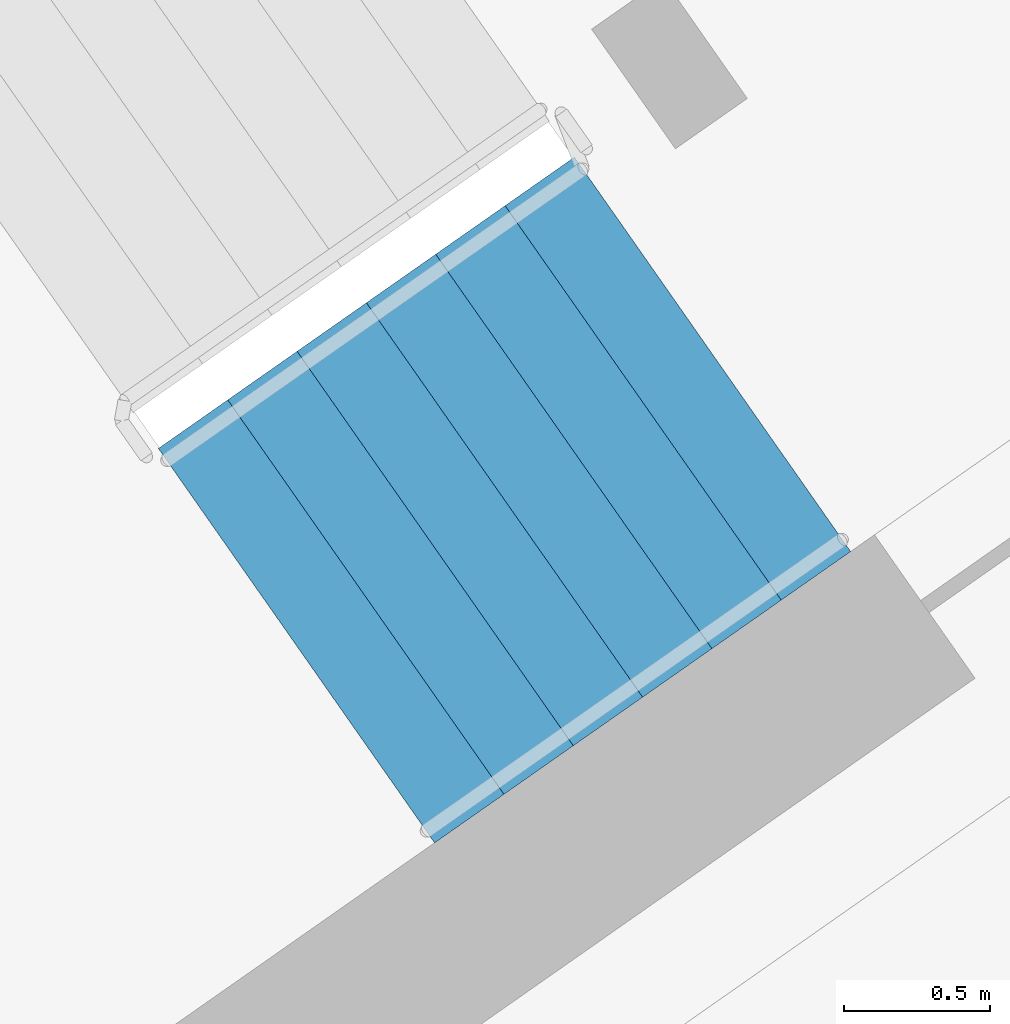
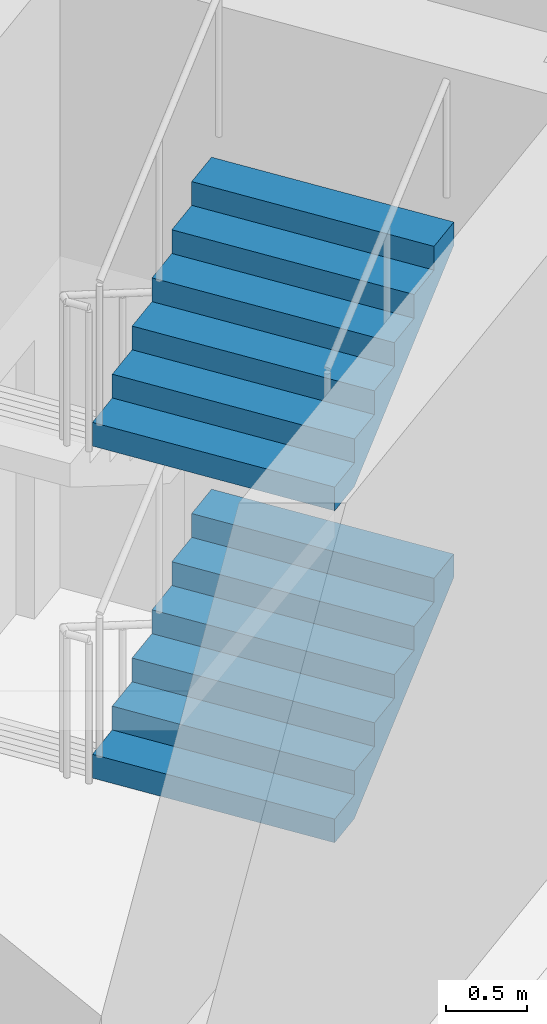
# One storey, part 19 of 24: 2 stair flights, 1 element without a shape of its own.
"""IFC4 building model written with IfcOpenShell, lengths in metres."""

from ifc_helpers import new_model, si_unit, direction, frame, origin, place, context, subcontext, project, spatial, faceted_brep, material, type_object, element, aggregate, save


model = new_model("IFC4")

# Units and contexts
model_context = context("Model", 3, precision=1e-05, world=origin(), true_north=direction((0.0, 1.0)))
body_context = subcontext(model_context, "Body", "Model", "MODEL_VIEW")
ifc_project = project(units=[si_unit("LENGTHUNIT", "METRE"), si_unit("AREAUNIT", "SQUARE_METRE"), si_unit("VOLUMEUNIT", "CUBIC_METRE"), si_unit("PLANEANGLEUNIT", "RADIAN"), si_unit("MASSUNIT", "GRAM", prefix="KILO")], contexts=[model_context])

# Site, building, storey
site_placement = place(None, origin())
site = spatial("IfcSite", under=ifc_project, at=site_placement, CompositionType="ELEMENT")
building_placement = place(site_placement, origin())
building = spatial("IfcBuilding", under=site, at=building_placement, Name="Qamariyya Broadcast Tower", CompositionType="ELEMENT")
storey_placement = place(building_placement, frame((0.0, 0.0, 253.10009765625)))
storey = spatial("IfcBuildingStorey", under=building, at=storey_placement, Name="L61", CompositionType="ELEMENT", Elevation=253.10009765625)

# Stair, stair flights
ifc_material = material(Name="Concrete C50/60", Category="concrete")
stair_type = type_object("IfcStairType", Name="Exit stair 28 risers of 179 mm", PredefinedType="HALF_TURN_STAIR", material=ifc_material)
stair_placement = place(storey_placement, origin())
stair = element("IfcStair", 1, at=stair_placement, inside=storey, type_object=stair_type, Name="L61 Stair E1", PredefinedType="HALF_TURN_STAIR")
stair_flight_type = type_object("IfcStairFlightType", Name="Exit stair flight 7 risers of 179 mm", PredefinedType="STRAIGHT", material=ifc_material)
stair_flight_1_placement = place(storey_placement, frame((45.6435546875, -57.980712890625, 1.25), z_axis=(0.0, 0.0, 1.0), x_axis=(0.819152044289, 0.573576436351, 0.0)))
stair_flight_1 = element("IfcStairFlight", 2, at=stair_flight_1_placement, type_object=stair_flight_type, Name="ST-E1 flight 2", NumberOfRisers=7, NumberOfTreads=6, PredefinedType="STRAIGHT", RiserHeight=0.178571429, TreadLength=0.29, context=body_context, shape_type="Brep", body=[
    faceted_brep([(0.0, 0.824951171875, 0.0), (0.0, 0.824951171875, 0.178466796875), (0.2900390625, 0.824951171875, 0.178466796875), (0.2900390625, 0.824951171875, 0.357177734375), (0.580078125, 0.824951171875, 0.357177734375), (0.580078125, 0.824951171875, 0.53564453125), (0.8701171875, 0.824951171875, 0.53564453125), (0.8701171875, 0.824951171875, 0.71435546875), (1.159912109375, 0.824951171875, 0.71435546875), (1.159912109375, 0.824951171875, 0.892822265625), (1.449951171875, 0.824951171875, 0.892822265625), (1.449951171875, 0.824951171875, 1.071533203125), (1.739990234375, 0.824951171875, 1.071533203125), (1.739990234375, 0.824951171875, 0.8955078125), (0.285888671875, 0.824951171875, 0.0), (0.285888671875, -0.824951171875, 0.0), (1.739990234375, -0.824951171875, 0.8955078125), (1.739990234375, -0.824951171875, 1.071533203125), (1.449951171875, -0.824951171875, 1.071533203125), (1.449951171875, -0.824951171875, 0.892822265625), (1.159912109375, -0.824951171875, 0.892822265625), (1.159912109375, -0.824951171875, 0.71435546875), (0.8701171875, -0.824951171875, 0.71435546875), (0.8701171875, -0.824951171875, 0.53564453125), (0.580078125, -0.824951171875, 0.53564453125), (0.580078125, -0.824951171875, 0.357177734375), (0.2900390625, -0.824951171875, 0.357177734375), (0.2900390625, -0.824951171875, 0.178466796875), (0.0, -0.824951171875, 0.178466796875), (0.0, -0.824951171875, 0.0), (0.0, 0.10009765625, 0.0), (0.0, 0.086669921875, 0.0), (0.0, 0.0732421875, 0.0), (0.0, 0.06005859375, 0.0), (0.0, 0.046630859375, 0.0), (0.0, 0.033447265625, 0.0), (0.0, 0.02001953125, 0.0), (0.0, 0.006591796875, 0.0), (0.0, -0.006591796875, 0.0), (0.0, -0.02001953125, 0.0), (0.0, -0.033447265625, 0.0), (0.0, -0.046630859375, 0.0), (0.0, -0.06005859375, 0.0), (0.0, -0.0732421875, 0.0), (0.0, -0.086669921875, 0.0), (0.0, -0.10009765625, 0.0), (0.0, -0.10009765625, 0.178466796875), (0.0, -0.086669921875, 0.178466796875), (0.0, -0.0732421875, 0.178466796875), (0.0, -0.06005859375, 0.178466796875), (0.0, -0.046630859375, 0.178466796875), (0.0, -0.033447265625, 0.178466796875), (0.0, -0.02001953125, 0.178466796875), (0.0, -0.006591796875, 0.178466796875), (0.0, 0.006591796875, 0.178466796875), (0.0, 0.02001953125, 0.178466796875), (0.0, 0.033447265625, 0.178466796875), (0.0, 0.046630859375, 0.178466796875), (0.0, 0.06005859375, 0.178466796875), (0.0, 0.0732421875, 0.178466796875), (0.0, 0.086669921875, 0.178466796875), (0.0, 0.10009765625, 0.178466796875), (0.2900390625, -0.10009765625, 0.178466796875), (0.2900390625, -0.086669921875, 0.178466796875), (0.2900390625, -0.0732421875, 0.178466796875), (0.2900390625, -0.06005859375, 0.178466796875), (0.2900390625, -0.046630859375, 0.178466796875), (0.2900390625, -0.033447265625, 0.178466796875), (0.2900390625, -0.02001953125, 0.178466796875), (0.2900390625, -0.006591796875, 0.178466796875), (0.2900390625, 0.006591796875, 0.178466796875), (0.2900390625, 0.02001953125, 0.178466796875), (0.2900390625, 0.033447265625, 0.178466796875), (0.2900390625, 0.046630859375, 0.178466796875), (0.2900390625, 0.06005859375, 0.178466796875), (0.2900390625, 0.0732421875, 0.178466796875), (0.2900390625, 0.086669921875, 0.178466796875), (0.2900390625, 0.10009765625, 0.178466796875), (0.2900390625, -0.10009765625, 0.357177734375), (0.2900390625, -0.086669921875, 0.357177734375), (0.2900390625, -0.0732421875, 0.357177734375), (0.2900390625, -0.06005859375, 0.357177734375), (0.2900390625, -0.046630859375, 0.357177734375), (0.2900390625, -0.033447265625, 0.357177734375), (0.2900390625, -0.02001953125, 0.357177734375), (0.2900390625, -0.006591796875, 0.357177734375), (0.2900390625, 0.006591796875, 0.357177734375), (0.2900390625, 0.02001953125, 0.357177734375), (0.2900390625, 0.033447265625, 0.357177734375), (0.2900390625, 0.046630859375, 0.357177734375), (0.2900390625, 0.06005859375, 0.357177734375), (0.2900390625, 0.0732421875, 0.357177734375), (0.2900390625, 0.086669921875, 0.357177734375), (0.2900390625, 0.10009765625, 0.357177734375), (0.580078125, -0.10009765625, 0.357177734375), (0.580078125, -0.086669921875, 0.357177734375), (0.580078125, -0.0732421875, 0.357177734375), (0.580078125, -0.06005859375, 0.357177734375), (0.580078125, -0.046630859375, 0.357177734375), (0.580078125, -0.033447265625, 0.357177734375), (0.580078125, -0.02001953125, 0.357177734375), (0.580078125, -0.006591796875, 0.357177734375), (0.580078125, 0.006591796875, 0.357177734375), (0.580078125, 0.02001953125, 0.357177734375), (0.580078125, 0.033447265625, 0.357177734375), (0.580078125, 0.046630859375, 0.357177734375), (0.580078125, 0.06005859375, 0.357177734375), (0.580078125, 0.0732421875, 0.357177734375), (0.580078125, 0.086669921875, 0.357177734375), (0.580078125, 0.10009765625, 0.357177734375), (0.580078125, -0.10009765625, 0.53564453125), (0.580078125, -0.086669921875, 0.53564453125), (0.580078125, -0.0732421875, 0.53564453125), (0.580078125, -0.06005859375, 0.53564453125), (0.580078125, -0.046630859375, 0.53564453125), (0.580078125, -0.033447265625, 0.53564453125), (0.580078125, -0.02001953125, 0.53564453125), (0.580078125, -0.006591796875, 0.53564453125), (0.580078125, 0.006591796875, 0.53564453125), (0.580078125, 0.02001953125, 0.53564453125), (0.580078125, 0.033447265625, 0.53564453125), (0.580078125, 0.046630859375, 0.53564453125), (0.580078125, 0.06005859375, 0.53564453125), (0.580078125, 0.0732421875, 0.53564453125), (0.580078125, 0.086669921875, 0.53564453125), (0.580078125, 0.10009765625, 0.53564453125), (0.8701171875, -0.10009765625, 0.53564453125), (0.8701171875, -0.086669921875, 0.53564453125), (0.8701171875, -0.0732421875, 0.53564453125), (0.8701171875, -0.06005859375, 0.53564453125), (0.8701171875, -0.046630859375, 0.53564453125), (0.8701171875, -0.033447265625, 0.53564453125), (0.8701171875, -0.02001953125, 0.53564453125), (0.8701171875, -0.006591796875, 0.53564453125), (0.8701171875, 0.006591796875, 0.53564453125), (0.8701171875, 0.02001953125, 0.53564453125), (0.8701171875, 0.033447265625, 0.53564453125), (0.8701171875, 0.046630859375, 0.53564453125), (0.8701171875, 0.06005859375, 0.53564453125), (0.8701171875, 0.0732421875, 0.53564453125), (0.8701171875, 0.086669921875, 0.53564453125), (0.8701171875, 0.10009765625, 0.53564453125), (0.8701171875, -0.10009765625, 0.71435546875), (0.8701171875, -0.086669921875, 0.71435546875), (0.8701171875, -0.0732421875, 0.71435546875), (0.8701171875, -0.06005859375, 0.71435546875), (0.8701171875, -0.046630859375, 0.71435546875), (0.8701171875, -0.033447265625, 0.71435546875), (0.8701171875, -0.02001953125, 0.71435546875), (0.8701171875, -0.006591796875, 0.71435546875), (0.8701171875, 0.006591796875, 0.71435546875), (0.8701171875, 0.02001953125, 0.71435546875), (0.8701171875, 0.033447265625, 0.71435546875), (0.8701171875, 0.046630859375, 0.71435546875), (0.8701171875, 0.06005859375, 0.71435546875), (0.8701171875, 0.0732421875, 0.71435546875), (0.8701171875, 0.086669921875, 0.71435546875), (0.8701171875, 0.10009765625, 0.71435546875), (1.159912109375, -0.10009765625, 0.71435546875), (1.159912109375, -0.086669921875, 0.71435546875), (1.159912109375, -0.0732421875, 0.71435546875), (1.159912109375, -0.06005859375, 0.71435546875), (1.159912109375, -0.046630859375, 0.71435546875), (1.159912109375, -0.033447265625, 0.71435546875), (1.159912109375, -0.02001953125, 0.71435546875), (1.159912109375, -0.006591796875, 0.71435546875), (1.159912109375, 0.006591796875, 0.71435546875), (1.159912109375, 0.02001953125, 0.71435546875), (1.159912109375, 0.033447265625, 0.71435546875), (1.159912109375, 0.046630859375, 0.71435546875), (1.159912109375, 0.06005859375, 0.71435546875), (1.159912109375, 0.0732421875, 0.71435546875), (1.159912109375, 0.086669921875, 0.71435546875), (1.159912109375, 0.10009765625, 0.71435546875), (1.159912109375, -0.10009765625, 0.892822265625), (1.159912109375, -0.086669921875, 0.892822265625), (1.159912109375, -0.0732421875, 0.892822265625), (1.159912109375, -0.06005859375, 0.892822265625), (1.159912109375, -0.046630859375, 0.892822265625), (1.159912109375, -0.033447265625, 0.892822265625), (1.159912109375, -0.02001953125, 0.892822265625), (1.159912109375, -0.006591796875, 0.892822265625), (1.159912109375, 0.006591796875, 0.892822265625), (1.159912109375, 0.02001953125, 0.892822265625), (1.159912109375, 0.033447265625, 0.892822265625), (1.159912109375, 0.046630859375, 0.892822265625), (1.159912109375, 0.06005859375, 0.892822265625), (1.159912109375, 0.0732421875, 0.892822265625), (1.159912109375, 0.086669921875, 0.892822265625), (1.159912109375, 0.10009765625, 0.892822265625), (1.449951171875, -0.10009765625, 0.892822265625), (1.449951171875, -0.086669921875, 0.892822265625), (1.449951171875, -0.0732421875, 0.892822265625), (1.449951171875, -0.06005859375, 0.892822265625), (1.449951171875, -0.046630859375, 0.892822265625), (1.449951171875, -0.033447265625, 0.892822265625), (1.449951171875, -0.02001953125, 0.892822265625), (1.449951171875, -0.006591796875, 0.892822265625), (1.449951171875, 0.006591796875, 0.892822265625), (1.449951171875, 0.02001953125, 0.892822265625), (1.449951171875, 0.033447265625, 0.892822265625), (1.449951171875, 0.046630859375, 0.892822265625), (1.449951171875, 0.06005859375, 0.892822265625), (1.449951171875, 0.0732421875, 0.892822265625), (1.449951171875, 0.086669921875, 0.892822265625), (1.449951171875, 0.10009765625, 0.892822265625), (1.449951171875, -0.10009765625, 1.071533203125), (1.449951171875, -0.086669921875, 1.071533203125), (1.449951171875, -0.0732421875, 1.071533203125), (1.449951171875, -0.06005859375, 1.071533203125), (1.449951171875, -0.046630859375, 1.071533203125), (1.449951171875, -0.033447265625, 1.071533203125), (1.449951171875, -0.02001953125, 1.071533203125), (1.449951171875, -0.006591796875, 1.071533203125), (1.449951171875, 0.006591796875, 1.071533203125), (1.449951171875, 0.02001953125, 1.071533203125), (1.449951171875, 0.033447265625, 1.071533203125), (1.449951171875, 0.046630859375, 1.071533203125), (1.449951171875, 0.06005859375, 1.071533203125), (1.449951171875, 0.0732421875, 1.071533203125), (1.449951171875, 0.086669921875, 1.071533203125), (1.449951171875, 0.10009765625, 1.071533203125), (1.739990234375, -0.10009765625, 1.071533203125), (1.739990234375, -0.086669921875, 1.071533203125), (1.739990234375, -0.0732421875, 1.071533203125), (1.739990234375, -0.06005859375, 1.071533203125), (1.739990234375, -0.046630859375, 1.071533203125), (1.739990234375, -0.033447265625, 1.071533203125), (1.739990234375, -0.02001953125, 1.071533203125), (1.739990234375, -0.006591796875, 1.071533203125), (1.739990234375, 0.006591796875, 1.071533203125), (1.739990234375, 0.02001953125, 1.071533203125), (1.739990234375, 0.033447265625, 1.071533203125), (1.739990234375, 0.046630859375, 1.071533203125), (1.739990234375, 0.06005859375, 1.071533203125), (1.739990234375, 0.0732421875, 1.071533203125), (1.739990234375, 0.086669921875, 1.071533203125), (1.739990234375, 0.10009765625, 1.071533203125), (1.739990234375, -0.10009765625, 0.8955078125), (1.739990234375, -0.086669921875, 0.8955078125), (1.739990234375, -0.0732421875, 0.8955078125), (1.739990234375, -0.06005859375, 0.8955078125), (1.739990234375, -0.046630859375, 0.8955078125), (1.739990234375, -0.033447265625, 0.8955078125), (1.739990234375, -0.02001953125, 0.8955078125), (1.739990234375, -0.006591796875, 0.8955078125), (1.739990234375, 0.006591796875, 0.8955078125), (1.739990234375, 0.02001953125, 0.8955078125), (1.739990234375, 0.033447265625, 0.8955078125), (1.739990234375, 0.046630859375, 0.8955078125), (1.739990234375, 0.06005859375, 0.8955078125), (1.739990234375, 0.0732421875, 0.8955078125), (1.739990234375, 0.086669921875, 0.8955078125), (1.739990234375, 0.10009765625, 0.8955078125), (0.285888671875, -0.10009765625, 0.0), (0.285888671875, -0.086669921875, 0.0), (0.285888671875, -0.0732421875, 0.0), (0.285888671875, -0.06005859375, 0.0), (0.285888671875, -0.046630859375, 0.0), (0.285888671875, -0.033447265625, 0.0), (0.285888671875, -0.02001953125, 0.0), (0.285888671875, -0.006591796875, 0.0), (0.285888671875, 0.006591796875, 0.0), (0.285888671875, 0.02001953125, 0.0), (0.285888671875, 0.033447265625, 0.0), (0.285888671875, 0.046630859375, 0.0), (0.285888671875, 0.06005859375, 0.0), (0.285888671875, 0.0732421875, 0.0), (0.285888671875, 0.086669921875, 0.0), (0.285888671875, 0.10009765625, 0.0)], [[[0, 1, 2, 3, 4, 5, 6, 7, 8, 9, 10, 11, 12, 13, 14]], [[15, 16, 17, 18, 19, 20, 21, 22, 23, 24, 25, 26, 27, 28, 29]], [[0, 30, 31, 32, 33, 34, 35, 36, 37, 38, 39, 40, 41, 42, 43, 44, 45, 29, 28, 46, 47, 48, 49, 50, 51, 52, 53, 54, 55, 56, 57, 58, 59, 60, 61, 1]], [[1, 61, 60, 59, 58, 57, 56, 55, 54, 53, 52, 51, 50, 49, 48, 47, 46, 28, 27, 62, 63, 64, 65, 66, 67, 68, 69, 70, 71, 72, 73, 74, 75, 76, 77, 2]], [[2, 77, 76, 75, 74, 73, 72, 71, 70, 69, 68, 67, 66, 65, 64, 63, 62, 27, 26, 78, 79, 80, 81, 82, 83, 84, 85, 86, 87, 88, 89, 90, 91, 92, 93, 3]], [[3, 93, 92, 91, 90, 89, 88, 87, 86, 85, 84, 83, 82, 81, 80, 79, 78, 26, 25, 94, 95, 96, 97, 98, 99, 100, 101, 102, 103, 104, 105, 106, 107, 108, 109, 4]], [[4, 109, 108, 107, 106, 105, 104, 103, 102, 101, 100, 99, 98, 97, 96, 95, 94, 25, 24, 110, 111, 112, 113, 114, 115, 116, 117, 118, 119, 120, 121, 122, 123, 124, 125, 5]], [[5, 125, 124, 123, 122, 121, 120, 119, 118, 117, 116, 115, 114, 113, 112, 111, 110, 24, 23, 126, 127, 128, 129, 130, 131, 132, 133, 134, 135, 136, 137, 138, 139, 140, 141, 6]], [[6, 141, 140, 139, 138, 137, 136, 135, 134, 133, 132, 131, 130, 129, 128, 127, 126, 23, 22, 142, 143, 144, 145, 146, 147, 148, 149, 150, 151, 152, 153, 154, 155, 156, 157, 7]], [[7, 157, 156, 155, 154, 153, 152, 151, 150, 149, 148, 147, 146, 145, 144, 143, 142, 22, 21, 158, 159, 160, 161, 162, 163, 164, 165, 166, 167, 168, 169, 170, 171, 172, 173, 8]], [[8, 173, 172, 171, 170, 169, 168, 167, 166, 165, 164, 163, 162, 161, 160, 159, 158, 21, 20, 174, 175, 176, 177, 178, 179, 180, 181, 182, 183, 184, 185, 186, 187, 188, 189, 9]], [[9, 189, 188, 187, 186, 185, 184, 183, 182, 181, 180, 179, 178, 177, 176, 175, 174, 20, 19, 190, 191, 192, 193, 194, 195, 196, 197, 198, 199, 200, 201, 202, 203, 204, 205, 10]], [[10, 205, 204, 203, 202, 201, 200, 199, 198, 197, 196, 195, 194, 193, 192, 191, 190, 19, 18, 206, 207, 208, 209, 210, 211, 212, 213, 214, 215, 216, 217, 218, 219, 220, 221, 11]], [[11, 221, 220, 219, 218, 217, 216, 215, 214, 213, 212, 211, 210, 209, 208, 207, 206, 18, 17, 222, 223, 224, 225, 226, 227, 228, 229, 230, 231, 232, 233, 234, 235, 236, 237, 12]], [[12, 237, 236, 235, 234, 233, 232, 231, 230, 229, 228, 227, 226, 225, 224, 223, 222, 17, 16, 238, 239, 240, 241, 242, 243, 244, 245, 246, 247, 248, 249, 250, 251, 252, 253, 13]], [[13, 253, 252, 251, 250, 249, 248, 247, 246, 245, 244, 243, 242, 241, 240, 239, 238, 16, 15, 254, 255, 256, 257, 258, 259, 260, 261, 262, 263, 264, 265, 266, 267, 268, 269, 14]], [[14, 269, 268, 267, 266, 265, 264, 263, 262, 261, 260, 259, 258, 257, 256, 255, 254, 15, 29, 45, 44, 43, 42, 41, 40, 39, 38, 37, 36, 35, 34, 33, 32, 31, 30, 0]]]),
])
stair_flight_2_placement = place(storey_placement, frame((45.6435546875, -57.980712890625, 3.75), z_axis=(0.0, 0.0, 1.0), x_axis=(0.819152044289, 0.573576436351, 0.0)))
stair_flight_2 = element("IfcStairFlight", 3, at=stair_flight_2_placement, type_object=stair_flight_type, Name="ST-E1 flight 4", NumberOfRisers=7, NumberOfTreads=6, PredefinedType="STRAIGHT", RiserHeight=0.178571429, TreadLength=0.29, context=body_context, shape_type="Brep", body=[
    faceted_brep([(0.0, 0.824951171875, 0.0), (0.0, 0.824951171875, 0.178466796875), (0.2900390625, 0.824951171875, 0.178466796875), (0.2900390625, 0.824951171875, 0.357177734375), (0.580078125, 0.824951171875, 0.357177734375), (0.580078125, 0.824951171875, 0.53564453125), (0.8701171875, 0.824951171875, 0.53564453125), (0.8701171875, 0.824951171875, 0.71435546875), (1.159912109375, 0.824951171875, 0.71435546875), (1.159912109375, 0.824951171875, 0.892822265625), (1.449951171875, 0.824951171875, 0.892822265625), (1.449951171875, 0.824951171875, 1.071533203125), (1.739990234375, 0.824951171875, 1.071533203125), (1.739990234375, 0.824951171875, 0.8955078125), (0.285888671875, 0.824951171875, 0.0), (0.285888671875, -0.824951171875, 0.0), (1.739990234375, -0.824951171875, 0.8955078125), (1.739990234375, -0.824951171875, 1.071533203125), (1.449951171875, -0.824951171875, 1.071533203125), (1.449951171875, -0.824951171875, 0.892822265625), (1.159912109375, -0.824951171875, 0.892822265625), (1.159912109375, -0.824951171875, 0.71435546875), (0.8701171875, -0.824951171875, 0.71435546875), (0.8701171875, -0.824951171875, 0.53564453125), (0.580078125, -0.824951171875, 0.53564453125), (0.580078125, -0.824951171875, 0.357177734375), (0.2900390625, -0.824951171875, 0.357177734375), (0.2900390625, -0.824951171875, 0.178466796875), (0.0, -0.824951171875, 0.178466796875), (0.0, -0.824951171875, 0.0), (0.0, 0.10009765625, 0.0), (0.0, 0.086669921875, 0.0), (0.0, 0.0732421875, 0.0), (0.0, 0.06005859375, 0.0), (0.0, 0.046630859375, 0.0), (0.0, 0.033447265625, 0.0), (0.0, 0.02001953125, 0.0), (0.0, 0.006591796875, 0.0), (0.0, -0.006591796875, 0.0), (0.0, -0.02001953125, 0.0), (0.0, -0.033447265625, 0.0), (0.0, -0.046630859375, 0.0), (0.0, -0.06005859375, 0.0), (0.0, -0.0732421875, 0.0), (0.0, -0.086669921875, 0.0), (0.0, -0.10009765625, 0.0), (0.0, -0.10009765625, 0.178466796875), (0.0, -0.086669921875, 0.178466796875), (0.0, -0.0732421875, 0.178466796875), (0.0, -0.06005859375, 0.178466796875), (0.0, -0.046630859375, 0.178466796875), (0.0, -0.033447265625, 0.178466796875), (0.0, -0.02001953125, 0.178466796875), (0.0, -0.006591796875, 0.178466796875), (0.0, 0.006591796875, 0.178466796875), (0.0, 0.02001953125, 0.178466796875), (0.0, 0.033447265625, 0.178466796875), (0.0, 0.046630859375, 0.178466796875), (0.0, 0.06005859375, 0.178466796875), (0.0, 0.0732421875, 0.178466796875), (0.0, 0.086669921875, 0.178466796875), (0.0, 0.10009765625, 0.178466796875), (0.2900390625, -0.10009765625, 0.178466796875), (0.2900390625, -0.086669921875, 0.178466796875), (0.2900390625, -0.0732421875, 0.178466796875), (0.2900390625, -0.06005859375, 0.178466796875), (0.2900390625, -0.046630859375, 0.178466796875), (0.2900390625, -0.033447265625, 0.178466796875), (0.2900390625, -0.02001953125, 0.178466796875), (0.2900390625, -0.006591796875, 0.178466796875), (0.2900390625, 0.006591796875, 0.178466796875), (0.2900390625, 0.02001953125, 0.178466796875), (0.2900390625, 0.033447265625, 0.178466796875), (0.2900390625, 0.046630859375, 0.178466796875), (0.2900390625, 0.06005859375, 0.178466796875), (0.2900390625, 0.0732421875, 0.178466796875), (0.2900390625, 0.086669921875, 0.178466796875), (0.2900390625, 0.10009765625, 0.178466796875), (0.2900390625, -0.10009765625, 0.357177734375), (0.2900390625, -0.086669921875, 0.357177734375), (0.2900390625, -0.0732421875, 0.357177734375), (0.2900390625, -0.06005859375, 0.357177734375), (0.2900390625, -0.046630859375, 0.357177734375), (0.2900390625, -0.033447265625, 0.357177734375), (0.2900390625, -0.02001953125, 0.357177734375), (0.2900390625, -0.006591796875, 0.357177734375), (0.2900390625, 0.006591796875, 0.357177734375), (0.2900390625, 0.02001953125, 0.357177734375), (0.2900390625, 0.033447265625, 0.357177734375), (0.2900390625, 0.046630859375, 0.357177734375), (0.2900390625, 0.06005859375, 0.357177734375), (0.2900390625, 0.0732421875, 0.357177734375), (0.2900390625, 0.086669921875, 0.357177734375), (0.2900390625, 0.10009765625, 0.357177734375), (0.580078125, -0.10009765625, 0.357177734375), (0.580078125, -0.086669921875, 0.357177734375), (0.580078125, -0.0732421875, 0.357177734375), (0.580078125, -0.06005859375, 0.357177734375), (0.580078125, -0.046630859375, 0.357177734375), (0.580078125, -0.033447265625, 0.357177734375), (0.580078125, -0.02001953125, 0.357177734375), (0.580078125, -0.006591796875, 0.357177734375), (0.580078125, 0.006591796875, 0.357177734375), (0.580078125, 0.02001953125, 0.357177734375), (0.580078125, 0.033447265625, 0.357177734375), (0.580078125, 0.046630859375, 0.357177734375), (0.580078125, 0.06005859375, 0.357177734375), (0.580078125, 0.0732421875, 0.357177734375), (0.580078125, 0.086669921875, 0.357177734375), (0.580078125, 0.10009765625, 0.357177734375), (0.580078125, -0.10009765625, 0.53564453125), (0.580078125, -0.086669921875, 0.53564453125), (0.580078125, -0.0732421875, 0.53564453125), (0.580078125, -0.06005859375, 0.53564453125), (0.580078125, -0.046630859375, 0.53564453125), (0.580078125, -0.033447265625, 0.53564453125), (0.580078125, -0.02001953125, 0.53564453125), (0.580078125, -0.006591796875, 0.53564453125), (0.580078125, 0.006591796875, 0.53564453125), (0.580078125, 0.02001953125, 0.53564453125), (0.580078125, 0.033447265625, 0.53564453125), (0.580078125, 0.046630859375, 0.53564453125), (0.580078125, 0.06005859375, 0.53564453125), (0.580078125, 0.0732421875, 0.53564453125), (0.580078125, 0.086669921875, 0.53564453125), (0.580078125, 0.10009765625, 0.53564453125), (0.8701171875, -0.10009765625, 0.53564453125), (0.8701171875, -0.086669921875, 0.53564453125), (0.8701171875, -0.0732421875, 0.53564453125), (0.8701171875, -0.06005859375, 0.53564453125), (0.8701171875, -0.046630859375, 0.53564453125), (0.8701171875, -0.033447265625, 0.53564453125), (0.8701171875, -0.02001953125, 0.53564453125), (0.8701171875, -0.006591796875, 0.53564453125), (0.8701171875, 0.006591796875, 0.53564453125), (0.8701171875, 0.02001953125, 0.53564453125), (0.8701171875, 0.033447265625, 0.53564453125), (0.8701171875, 0.046630859375, 0.53564453125), (0.8701171875, 0.06005859375, 0.53564453125), (0.8701171875, 0.0732421875, 0.53564453125), (0.8701171875, 0.086669921875, 0.53564453125), (0.8701171875, 0.10009765625, 0.53564453125), (0.8701171875, -0.10009765625, 0.71435546875), (0.8701171875, -0.086669921875, 0.71435546875), (0.8701171875, -0.0732421875, 0.71435546875), (0.8701171875, -0.06005859375, 0.71435546875), (0.8701171875, -0.046630859375, 0.71435546875), (0.8701171875, -0.033447265625, 0.71435546875), (0.8701171875, -0.02001953125, 0.71435546875), (0.8701171875, -0.006591796875, 0.71435546875), (0.8701171875, 0.006591796875, 0.71435546875), (0.8701171875, 0.02001953125, 0.71435546875), (0.8701171875, 0.033447265625, 0.71435546875), (0.8701171875, 0.046630859375, 0.71435546875), (0.8701171875, 0.06005859375, 0.71435546875), (0.8701171875, 0.0732421875, 0.71435546875), (0.8701171875, 0.086669921875, 0.71435546875), (0.8701171875, 0.10009765625, 0.71435546875), (1.159912109375, -0.10009765625, 0.71435546875), (1.159912109375, -0.086669921875, 0.71435546875), (1.159912109375, -0.0732421875, 0.71435546875), (1.159912109375, -0.06005859375, 0.71435546875), (1.159912109375, -0.046630859375, 0.71435546875), (1.159912109375, -0.033447265625, 0.71435546875), (1.159912109375, -0.02001953125, 0.71435546875), (1.159912109375, -0.006591796875, 0.71435546875), (1.159912109375, 0.006591796875, 0.71435546875), (1.159912109375, 0.02001953125, 0.71435546875), (1.159912109375, 0.033447265625, 0.71435546875), (1.159912109375, 0.046630859375, 0.71435546875), (1.159912109375, 0.06005859375, 0.71435546875), (1.159912109375, 0.0732421875, 0.71435546875), (1.159912109375, 0.086669921875, 0.71435546875), (1.159912109375, 0.10009765625, 0.71435546875), (1.159912109375, -0.10009765625, 0.892822265625), (1.159912109375, -0.086669921875, 0.892822265625), (1.159912109375, -0.0732421875, 0.892822265625), (1.159912109375, -0.06005859375, 0.892822265625), (1.159912109375, -0.046630859375, 0.892822265625), (1.159912109375, -0.033447265625, 0.892822265625), (1.159912109375, -0.02001953125, 0.892822265625), (1.159912109375, -0.006591796875, 0.892822265625), (1.159912109375, 0.006591796875, 0.892822265625), (1.159912109375, 0.02001953125, 0.892822265625), (1.159912109375, 0.033447265625, 0.892822265625), (1.159912109375, 0.046630859375, 0.892822265625), (1.159912109375, 0.06005859375, 0.892822265625), (1.159912109375, 0.0732421875, 0.892822265625), (1.159912109375, 0.086669921875, 0.892822265625), (1.159912109375, 0.10009765625, 0.892822265625), (1.449951171875, -0.10009765625, 0.892822265625), (1.449951171875, -0.086669921875, 0.892822265625), (1.449951171875, -0.0732421875, 0.892822265625), (1.449951171875, -0.06005859375, 0.892822265625), (1.449951171875, -0.046630859375, 0.892822265625), (1.449951171875, -0.033447265625, 0.892822265625), (1.449951171875, -0.02001953125, 0.892822265625), (1.449951171875, -0.006591796875, 0.892822265625), (1.449951171875, 0.006591796875, 0.892822265625), (1.449951171875, 0.02001953125, 0.892822265625), (1.449951171875, 0.033447265625, 0.892822265625), (1.449951171875, 0.046630859375, 0.892822265625), (1.449951171875, 0.06005859375, 0.892822265625), (1.449951171875, 0.0732421875, 0.892822265625), (1.449951171875, 0.086669921875, 0.892822265625), (1.449951171875, 0.10009765625, 0.892822265625), (1.449951171875, -0.10009765625, 1.071533203125), (1.449951171875, -0.086669921875, 1.071533203125), (1.449951171875, -0.0732421875, 1.071533203125), (1.449951171875, -0.06005859375, 1.071533203125), (1.449951171875, -0.046630859375, 1.071533203125), (1.449951171875, -0.033447265625, 1.071533203125), (1.449951171875, -0.02001953125, 1.071533203125), (1.449951171875, -0.006591796875, 1.071533203125), (1.449951171875, 0.006591796875, 1.071533203125), (1.449951171875, 0.02001953125, 1.071533203125), (1.449951171875, 0.033447265625, 1.071533203125), (1.449951171875, 0.046630859375, 1.071533203125), (1.449951171875, 0.06005859375, 1.071533203125), (1.449951171875, 0.0732421875, 1.071533203125), (1.449951171875, 0.086669921875, 1.071533203125), (1.449951171875, 0.10009765625, 1.071533203125), (1.739990234375, -0.10009765625, 1.071533203125), (1.739990234375, -0.086669921875, 1.071533203125), (1.739990234375, -0.0732421875, 1.071533203125), (1.739990234375, -0.06005859375, 1.071533203125), (1.739990234375, -0.046630859375, 1.071533203125), (1.739990234375, -0.033447265625, 1.071533203125), (1.739990234375, -0.02001953125, 1.071533203125), (1.739990234375, -0.006591796875, 1.071533203125), (1.739990234375, 0.006591796875, 1.071533203125), (1.739990234375, 0.02001953125, 1.071533203125), (1.739990234375, 0.033447265625, 1.071533203125), (1.739990234375, 0.046630859375, 1.071533203125), (1.739990234375, 0.06005859375, 1.071533203125), (1.739990234375, 0.0732421875, 1.071533203125), (1.739990234375, 0.086669921875, 1.071533203125), (1.739990234375, 0.10009765625, 1.071533203125), (1.739990234375, -0.10009765625, 0.8955078125), (1.739990234375, -0.086669921875, 0.8955078125), (1.739990234375, -0.0732421875, 0.8955078125), (1.739990234375, -0.06005859375, 0.8955078125), (1.739990234375, -0.046630859375, 0.8955078125), (1.739990234375, -0.033447265625, 0.8955078125), (1.739990234375, -0.02001953125, 0.8955078125), (1.739990234375, -0.006591796875, 0.8955078125), (1.739990234375, 0.006591796875, 0.8955078125), (1.739990234375, 0.02001953125, 0.8955078125), (1.739990234375, 0.033447265625, 0.8955078125), (1.739990234375, 0.046630859375, 0.8955078125), (1.739990234375, 0.06005859375, 0.8955078125), (1.739990234375, 0.0732421875, 0.8955078125), (1.739990234375, 0.086669921875, 0.8955078125), (1.739990234375, 0.10009765625, 0.8955078125), (0.285888671875, -0.10009765625, 0.0), (0.285888671875, -0.086669921875, 0.0), (0.285888671875, -0.0732421875, 0.0), (0.285888671875, -0.06005859375, 0.0), (0.285888671875, -0.046630859375, 0.0), (0.285888671875, -0.033447265625, 0.0), (0.285888671875, -0.02001953125, 0.0), (0.285888671875, -0.006591796875, 0.0), (0.285888671875, 0.006591796875, 0.0), (0.285888671875, 0.02001953125, 0.0), (0.285888671875, 0.033447265625, 0.0), (0.285888671875, 0.046630859375, 0.0), (0.285888671875, 0.06005859375, 0.0), (0.285888671875, 0.0732421875, 0.0), (0.285888671875, 0.086669921875, 0.0), (0.285888671875, 0.10009765625, 0.0)], [[[0, 1, 2, 3, 4, 5, 6, 7, 8, 9, 10, 11, 12, 13, 14]], [[15, 16, 17, 18, 19, 20, 21, 22, 23, 24, 25, 26, 27, 28, 29]], [[0, 30, 31, 32, 33, 34, 35, 36, 37, 38, 39, 40, 41, 42, 43, 44, 45, 29, 28, 46, 47, 48, 49, 50, 51, 52, 53, 54, 55, 56, 57, 58, 59, 60, 61, 1]], [[1, 61, 60, 59, 58, 57, 56, 55, 54, 53, 52, 51, 50, 49, 48, 47, 46, 28, 27, 62, 63, 64, 65, 66, 67, 68, 69, 70, 71, 72, 73, 74, 75, 76, 77, 2]], [[2, 77, 76, 75, 74, 73, 72, 71, 70, 69, 68, 67, 66, 65, 64, 63, 62, 27, 26, 78, 79, 80, 81, 82, 83, 84, 85, 86, 87, 88, 89, 90, 91, 92, 93, 3]], [[3, 93, 92, 91, 90, 89, 88, 87, 86, 85, 84, 83, 82, 81, 80, 79, 78, 26, 25, 94, 95, 96, 97, 98, 99, 100, 101, 102, 103, 104, 105, 106, 107, 108, 109, 4]], [[4, 109, 108, 107, 106, 105, 104, 103, 102, 101, 100, 99, 98, 97, 96, 95, 94, 25, 24, 110, 111, 112, 113, 114, 115, 116, 117, 118, 119, 120, 121, 122, 123, 124, 125, 5]], [[5, 125, 124, 123, 122, 121, 120, 119, 118, 117, 116, 115, 114, 113, 112, 111, 110, 24, 23, 126, 127, 128, 129, 130, 131, 132, 133, 134, 135, 136, 137, 138, 139, 140, 141, 6]], [[6, 141, 140, 139, 138, 137, 136, 135, 134, 133, 132, 131, 130, 129, 128, 127, 126, 23, 22, 142, 143, 144, 145, 146, 147, 148, 149, 150, 151, 152, 153, 154, 155, 156, 157, 7]], [[7, 157, 156, 155, 154, 153, 152, 151, 150, 149, 148, 147, 146, 145, 144, 143, 142, 22, 21, 158, 159, 160, 161, 162, 163, 164, 165, 166, 167, 168, 169, 170, 171, 172, 173, 8]], [[8, 173, 172, 171, 170, 169, 168, 167, 166, 165, 164, 163, 162, 161, 160, 159, 158, 21, 20, 174, 175, 176, 177, 178, 179, 180, 181, 182, 183, 184, 185, 186, 187, 188, 189, 9]], [[9, 189, 188, 187, 186, 185, 184, 183, 182, 181, 180, 179, 178, 177, 176, 175, 174, 20, 19, 190, 191, 192, 193, 194, 195, 196, 197, 198, 199, 200, 201, 202, 203, 204, 205, 10]], [[10, 205, 204, 203, 202, 201, 200, 199, 198, 197, 196, 195, 194, 193, 192, 191, 190, 19, 18, 206, 207, 208, 209, 210, 211, 212, 213, 214, 215, 216, 217, 218, 219, 220, 221, 11]], [[11, 221, 220, 219, 218, 217, 216, 215, 214, 213, 212, 211, 210, 209, 208, 207, 206, 18, 17, 222, 223, 224, 225, 226, 227, 228, 229, 230, 231, 232, 233, 234, 235, 236, 237, 12]], [[12, 237, 236, 235, 234, 233, 232, 231, 230, 229, 228, 227, 226, 225, 224, 223, 222, 17, 16, 238, 239, 240, 241, 242, 243, 244, 245, 246, 247, 248, 249, 250, 251, 252, 253, 13]], [[13, 253, 252, 251, 250, 249, 248, 247, 246, 245, 244, 243, 242, 241, 240, 239, 238, 16, 15, 254, 255, 256, 257, 258, 259, 260, 261, 262, 263, 264, 265, 266, 267, 268, 269, 14]], [[14, 269, 268, 267, 266, 265, 264, 263, 262, 261, 260, 259, 258, 257, 256, 255, 254, 15, 29, 45, 44, 43, 42, 41, 40, 39, 38, 37, 36, 35, 34, 33, 32, 31, 30, 0]]]),
])
aggregate(stair, [stair_flight_1, stair_flight_2])

save(model, "model.ifc")
